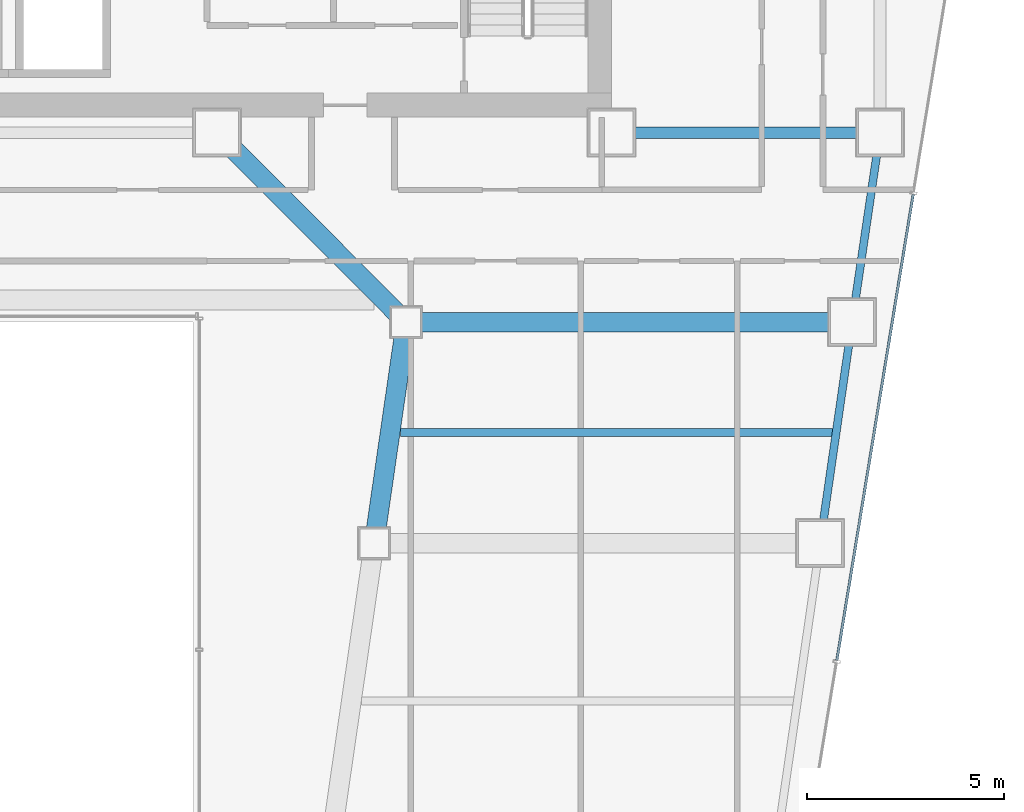
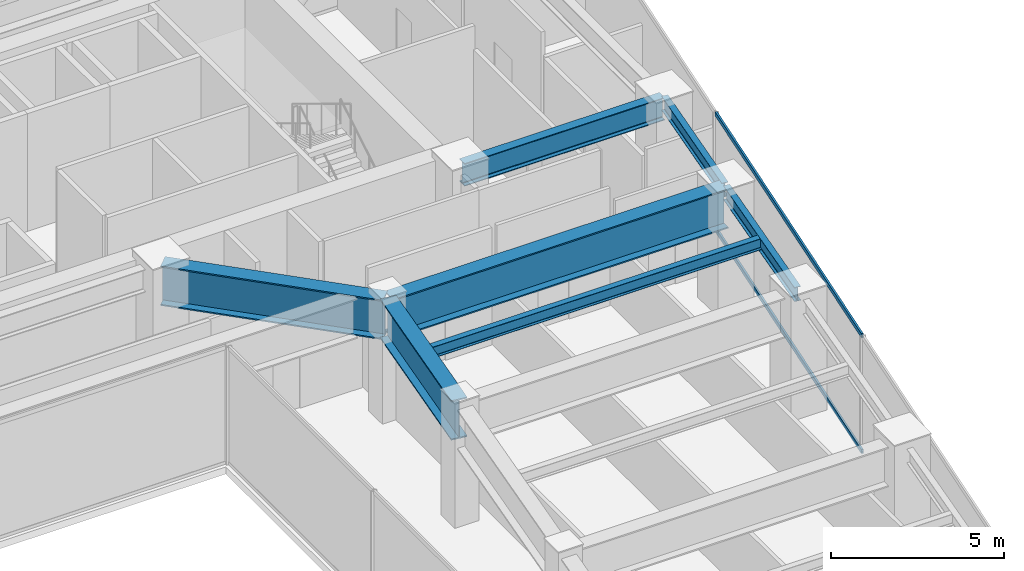
# One storey, part 29 of 40: 7 beams, 2 members, 1 element without a shape of its own.
"""IFC4 building model written with IfcOpenShell, lengths in metres."""

from ifc_helpers import new_model, si_unit, direction, frame, origin, origin_2d, place, context, subcontext, project, spatial, hollow_rectangle, i_section, extrude, material, material_profile, profile_set, type_object, element, aggregate, save


model = new_model("IFC4")

# Units and contexts
model_context = context("Model", 3, precision=1e-05, world=origin(), true_north=direction((0.0, 1.0)))
body_context = subcontext(model_context, "Body", "Model", "MODEL_VIEW")
ifc_project = project(units=[si_unit("LENGTHUNIT", "METRE"), si_unit("AREAUNIT", "SQUARE_METRE"), si_unit("VOLUMEUNIT", "CUBIC_METRE"), si_unit("PLANEANGLEUNIT", "RADIAN"), si_unit("MASSUNIT", "GRAM", prefix="KILO")], contexts=[model_context])

# Site, building, storey
site_placement = place(None, origin())
site = spatial("IfcSite", under=ifc_project, at=site_placement, CompositionType="ELEMENT")
building_placement = place(site_placement, origin())
building = spatial("IfcBuilding", under=site, at=building_placement, Name="Saevonmaru Cultural Tower", CompositionType="ELEMENT")
storey_placement = place(building_placement, frame((0.0, 0.0, 97.199951171875)))
storey = spatial("IfcBuildingStorey", under=building, at=storey_placement, Name="L20", CompositionType="ELEMENT", Elevation=97.199951171875)

# Beams
ifc_material_1 = material(Name="Steel SM420", Category="steel")
ifc_material_profile_1 = material_profile(ifc_material_1, i_section(OverallWidth=0.300048828125, OverallDepth=0.800048828125, WebThickness=0.013916015625, FlangeThickness=0.02587890625, FilletRadius=0.028076171875, at=origin_2d()), Name="H-800x300x14x26")
ifc_profile_set_1 = profile_set([ifc_material_profile_1], Name="Steel SM420")
beam_type_1 = type_object("IfcBeamType", Name="BM-G-H800", PredefinedType="BEAM", material=ifc_profile_set_1)
beam_1_placement = place(storey_placement, frame((46.4599609375, 42.39990234375, 3.75), z_axis=(1.0, 0.0, 0.0), x_axis=(0.0, 1.0, 0.0)))
element("IfcBeam", 1, at=beam_1_placement, inside=storey, type_object=beam_type_1, Name="L20 Core South Girder 5", PredefinedType="BEAM", context=body_context, shape_type="SweptSolid", body=[
    extrude(i_section(OverallWidth=0.300048828125, OverallDepth=0.800048828125, WebThickness=0.013916015625, FlangeThickness=0.02587890625, FilletRadius=0.028076171875, at=origin_2d()), origin(), (0.0, 0.0, 1.0), 6.679931640625),
])
ifc_material_2 = material(Name="Steel SM355", Category="steel")
ifc_material_profile_2 = material_profile(ifc_material_2, i_section(OverallWidth=0.199951171875, OverallDepth=0.39990234375, WebThickness=0.008056640625, FlangeThickness=0.012939453125, FilletRadius=0.01611328125, at=origin_2d()), Name="H-400x200x8x13")
ifc_profile_set_2 = profile_set([ifc_material_profile_2], Name="Steel SM355")
beam_type_2 = type_object("IfcBeamType", Name="BM-J-H400", PredefinedType="JOIST", material=ifc_profile_set_2)
beam_2_placement = place(storey_placement, frame((41.04541015625, 34.800048828125, 3.949951171875), z_axis=(1.0, 0.0, 0.0), x_axis=(0.0, 1.0, 0.0)))
element("IfcBeam", 2, at=beam_2_placement, inside=storey, type_object=beam_type_2, Name="L20 East Wing Floor Joist 5", PredefinedType="JOIST", context=body_context, shape_type="SweptSolid", body=[
    extrude(i_section(OverallWidth=0.199951171875, OverallDepth=0.39990234375, WebThickness=0.008056640625, FlangeThickness=0.012939453125, FilletRadius=0.01611328125, at=origin_2d()), origin(), (0.0, 0.0, 1.0), 10.982177734375),
])
ifc_material_profile_3 = material_profile(ifc_material_2, i_section(OverallWidth=0.199951171875, OverallDepth=0.5, WebThickness=0.010009765625, FlangeThickness=0.01611328125, FilletRadius=0.02001953125, at=origin_2d()), Name="H-500x200x10x16")
ifc_profile_set_3 = profile_set([ifc_material_profile_3], Name="Steel SM355")
beam_type_3 = type_object("IfcBeamType", Name="BM-SP-H500", PredefinedType="SPANDREL", material=ifc_profile_set_3)
beam_3_placement = place(storey_placement, frame((51.691650390625, 32.059326171875, 3.900146484375), z_axis=(0.142964121327, 0.989727871697, 0.0), x_axis=(-0.989727871697, 0.142964121327, 0.0)))
element("IfcBeam", 3, at=beam_3_placement, inside=storey, type_object=beam_type_3, Name="L20 East Splayed Spandrel 5", PredefinedType="SPANDREL", context=body_context, shape_type="SweptSolid", body=[
    extrude(i_section(OverallWidth=0.199951171875, OverallDepth=0.5, WebThickness=0.010009765625, FlangeThickness=0.01611328125, FilletRadius=0.02001953125, at=origin_2d()), origin(), (0.0, 0.0, 1.0), 5.5380859375),
])
beam_4_placement = place(storey_placement, frame((52.500732421875, 37.659423828125, 3.900146484375), z_axis=(0.145912860028, 0.989297446312, 0.0), x_axis=(-0.989297446312, 0.145912860028, 0.0)))
element("IfcBeam", 4, at=beam_4_placement, inside=storey, type_object=beam_type_3, Name="L20 East Splayed Spandrel 6", PredefinedType="SPANDREL", context=body_context, shape_type="SweptSolid", body=[
    extrude(i_section(OverallWidth=0.199951171875, OverallDepth=0.5, WebThickness=0.010009765625, FlangeThickness=0.01611328125, FilletRadius=0.02001953125, at=origin_2d()), origin(), (0.0, 0.0, 1.0), 4.731689453125),
])
ifc_material_3 = material(Name="Steel HSA600 (600 MPa)", Category="steel")
ifc_material_profile_4 = material_profile(ifc_material_3, i_section(OverallWidth=0.5, OverallDepth=1.39990234375, WebThickness=0.02392578125, FlangeThickness=0.044921875, at=origin_2d()), Name="PG-1400x500x24x45")
ifc_profile_set_4 = profile_set([ifc_material_profile_4], Name="Steel HSA600 (600 MPa)")
beam_type_4 = type_object("IfcBeamType", Name="BM-TG-PG1400", PredefinedType="BEAM", material=ifc_profile_set_4)
beam_5_placement = place(storey_placement, frame((40.3916015625, 32.059326171875, 3.449951171875), z_axis=(0.142964121327, 0.989727871697, 0.0), x_axis=(-0.989727871697, 0.142964121327, 0.0)))
element("IfcBeam", 5, at=beam_5_placement, inside=storey, type_object=beam_type_4, Name="L20 East Atrium Girder 5", PredefinedType="BEAM", context=body_context, shape_type="SweptSolid", body=[
    extrude(i_section(OverallWidth=0.5, OverallDepth=1.39990234375, WebThickness=0.02392578125, FlangeThickness=0.044921875, at=origin_2d()), origin(), (0.0, 0.0, 1.0), 5.5380859375),
])
beam_6_placement = place(storey_placement, frame((41.149658203125, 37.642578125, 3.449951171875), z_axis=(-0.706538566564, 0.707674539572, 0.0), x_axis=(-0.707674539572, -0.706538566564, 0.0)))
element("IfcBeam", 6, at=beam_6_placement, inside=storey, type_object=beam_type_4, Name="L20 East Atrium Girder 6", PredefinedType="BEAM", context=body_context, shape_type="SweptSolid", body=[
    extrude(i_section(OverallWidth=0.5, OverallDepth=1.39990234375, WebThickness=0.02392578125, FlangeThickness=0.044921875, at=origin_2d()), origin(), (0.0, 0.0, 1.0), 6.662353515625),
])
beam_7_placement = place(storey_placement, frame((41.251953125, 37.60009765625, 3.449951171875), z_axis=(1.0, 0.0, 0.0), x_axis=(0.0, 1.0, 0.0)))
element("IfcBeam", 7, at=beam_7_placement, inside=storey, type_object=beam_type_4, Name="L20 East Wing Transverse Girder 6", PredefinedType="BEAM", context=body_context, shape_type="SweptSolid", body=[
    extrude(i_section(OverallWidth=0.5, OverallDepth=1.39990234375, WebThickness=0.02392578125, FlangeThickness=0.044921875, at=origin_2d()), origin(), (0.0, 0.0, 1.0), 11.179931640625),
])

# Curtain wall, members
ifc_material_4 = material(Name="Satin Bronze Anodised Aluminium", Category="aluminium")
curtain_wall_type = type_object("IfcCurtainWallType", Name="CW-TYP-A", PredefinedType="NOTDEFINED", material=ifc_material_4)
curtain_wall_placement = place(storey_placement, origin())
curtain_wall = element("IfcCurtainWall", 8, at=curtain_wall_placement, inside=storey, type_object=curtain_wall_type, Name="L20 Unitised Curtain Wall E8", PredefinedType="NOTDEFINED")
ifc_material_profile_5 = material_profile(ifc_material_4, hollow_rectangle(XDim=0.06494140625, YDim=0.14990234375, WallThickness=0.00390625, at=origin_2d()), Name="ALU-TRAN-150x65x4")
ifc_profile_set_5 = profile_set([ifc_material_profile_5], Name="Satin Bronze Anodised Aluminium")
member_type = type_object("IfcMemberType", Name="TR-CW-150x65", PredefinedType="USERDEFINED", material=ifc_profile_set_5)
member_1_placement = place(storey_placement, frame((52.105224609375, 29.031982421875, 0.032470703125), z_axis=(0.161701400727, 0.986839732177, 0.0), x_axis=(-0.986839732177, 0.161701400727, 0.0)))
member_1 = element("IfcMember", 9, at=member_1_placement, type_object=member_type, Name="CW-TW-L20-E8 transom 3.1", ObjectType="TRANSOM", PredefinedType="USERDEFINED", context=body_context, shape_type="SweptSolid", body=[
    extrude(hollow_rectangle(XDim=0.06494140625, YDim=0.14990234375, WallThickness=0.00390625, at=origin_2d()), origin(), (0.0, 0.0, 1.0), 11.9638671875),
])
member_2_placement = place(storey_placement, frame((52.105224609375, 29.031982421875, 4.117431640625), z_axis=(0.161701400727, 0.986839732177, 0.0), x_axis=(-0.986839732177, 0.161701400727, 0.0)))
member_2 = element("IfcMember", 10, at=member_2_placement, type_object=member_type, Name="CW-TW-L20-E8 transom 3.2", ObjectType="TRANSOM", PredefinedType="USERDEFINED", context=body_context, shape_type="SweptSolid", body=[
    extrude(hollow_rectangle(XDim=0.06494140625, YDim=0.14990234375, WallThickness=0.00390625, at=origin_2d()), origin(), (0.0, 0.0, 1.0), 11.9638671875),
])
aggregate(curtain_wall, [member_1, member_2])

save(model, "model.ifc")
